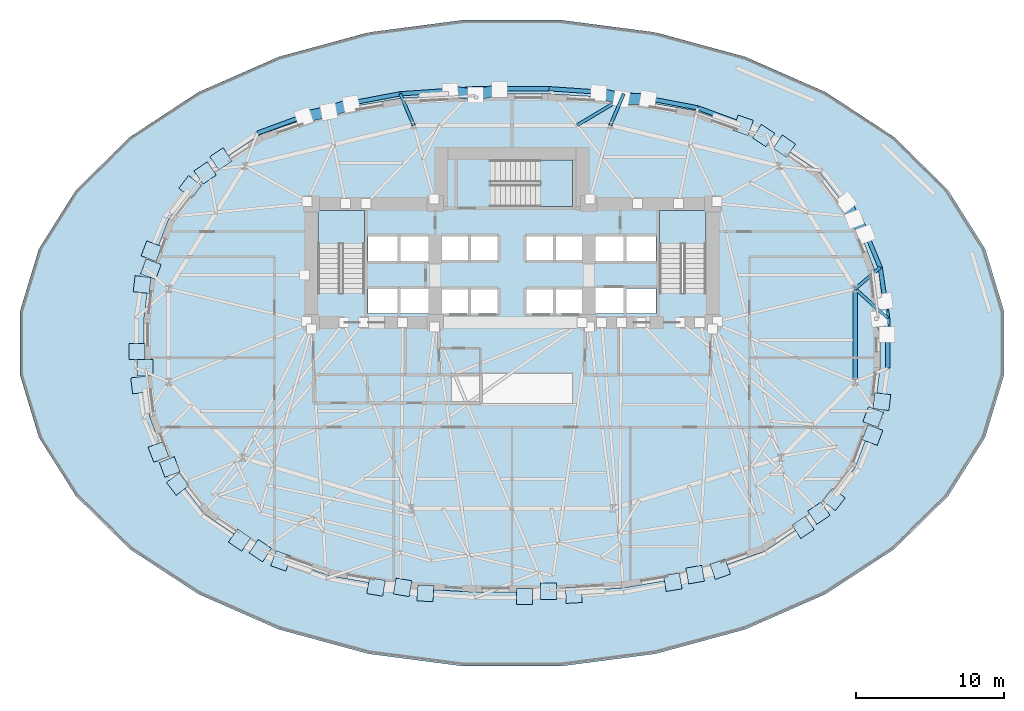
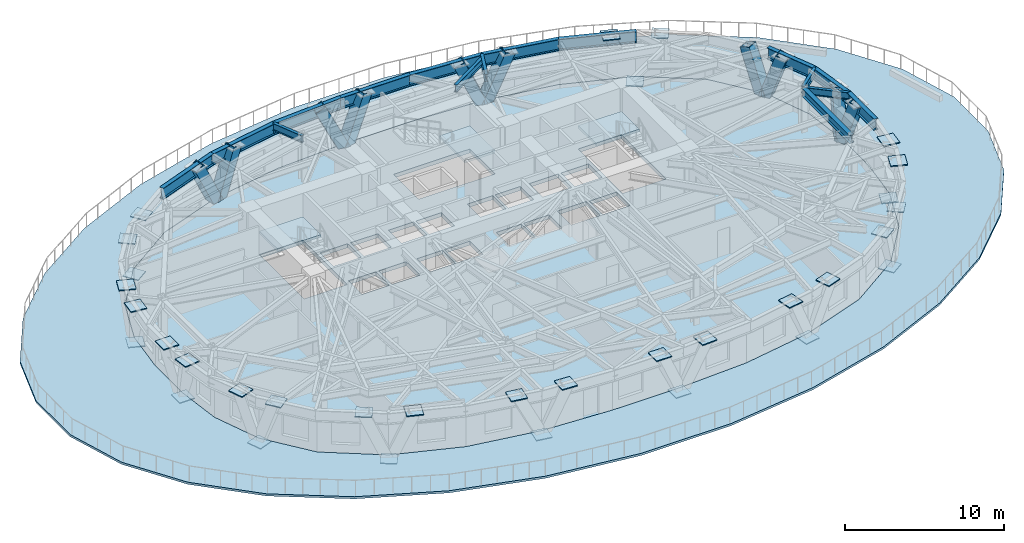
# One storey, part 4 of 14: 33 plates, 16 beams, 10 members, 5 slabs, 3 elements without a shape of their own.
"""IFC4 building model written with IfcOpenShell, lengths in metres."""

from ifc_helpers import new_model, si_unit, direction, frame, origin, origin_2d, place, context, subcontext, project, spatial, polyline, rectangle, hollow_rectangle, i_section, outline, extrude, material, layer, layer_set, material_profile, profile_set, type_object, element, aggregate, save


model = new_model("IFC4")

# Units and contexts
model_context = context("Model", 3, precision=1e-05, world=origin(), true_north=direction((0.0, 1.0)))
body_context = subcontext(model_context, "Body", "Model", "MODEL_VIEW")
ifc_project = project(units=[si_unit("LENGTHUNIT", "METRE"), si_unit("AREAUNIT", "SQUARE_METRE"), si_unit("VOLUMEUNIT", "CUBIC_METRE"), si_unit("PLANEANGLEUNIT", "RADIAN"), si_unit("MASSUNIT", "GRAM", prefix="KILO")], contexts=[model_context])

# Site, building, storey
site_placement = place(None, origin())
site = spatial("IfcSite", under=ifc_project, at=site_placement, CompositionType="ELEMENT")
building_placement = place(site_placement, origin())
building = spatial("IfcBuilding", under=site, at=building_placement, Name="Keldmark Tower", CompositionType="ELEMENT")
storey_placement = place(building_placement, frame((0.0, 0.0, 27.0)))
storey = spatial("IfcBuildingStorey", under=building, at=storey_placement, Name="L06", CompositionType="ELEMENT", Elevation=27.0)

# Members
ifc_material_1 = material(Name="Steel ASTM A572 Grade 50", Category="steel")
ifc_material_profile_1 = material_profile(ifc_material_1, hollow_rectangle(XDim=0.75, YDim=0.75, WallThickness=0.06494140625, at=origin_2d()), Name="BOX750X750X65")
ifc_profile_set_1 = profile_set([ifc_material_profile_1], Name="Steel ASTM A572 Grade 50")
member_type = type_object("IfcMemberType", Name="Diagrid Lower Brace BOX750X750X65", PredefinedType="BRACE", material=ifc_profile_set_1)
member_1_placement = place(storey_placement, frame((24.870361328125, 1.65625, -0.35009765625), z_axis=(0.093751320999, 0.307239383491, 0.94700298365), x_axis=(-0.956462321707, 0.291855832826, 0.0)))
element("IfcMember", 1, at=member_1_placement, inside=storey, type_object=member_type, Name="L06 Perimeter Diagrid Brace 01A", PredefinedType="BRACE", context=body_context, shape_type="SweptSolid", body=[
    extrude(hollow_rectangle(XDim=0.75, YDim=0.75, WallThickness=0.06494140625, at=origin_2d()), origin(), (0.0, 0.0, 1.0), 3.833251953125),
])
member_2_placement = place(storey_placement, frame((23.19873046875, 8.397216796875, -0.35009765625), z_axis=(0.197021500284, -0.266502512462, 0.943482347094), x_axis=(0.804116453603, 0.594471806771, 0.0)))
element("IfcMember", 2, at=member_2_placement, inside=storey, type_object=member_type, Name="L06 Perimeter Diagrid Brace 01B", PredefinedType="BRACE", context=body_context, shape_type="SweptSolid", body=[
    extrude(hollow_rectangle(XDim=0.75, YDim=0.75, WallThickness=0.06494140625, at=origin_2d()), origin(), (0.0, 0.0, 1.0), 3.84765625),
])
member_3_placement = place(storey_placement, frame((23.203125, 8.38623046875, -0.35009765625), z_axis=(-0.143542674884, 0.301097245153, 0.942727929706), x_axis=(-0.902670706302, -0.430331960217, 0.0)))
element("IfcMember", 3, at=member_3_placement, inside=storey, type_object=member_type, Name="L06 Perimeter Diagrid Brace 02A", PredefinedType="BRACE", context=body_context, shape_type="SweptSolid", body=[
    extrude(hollow_rectangle(XDim=0.75, YDim=0.75, WallThickness=0.06494140625, at=origin_2d()), origin(), (0.0, 0.0, 1.0), 3.8505859375),
])
member_4_placement = place(storey_placement, frame((7.41162109375, 16.5498046875, -0.35009765625), z_axis=(0.444430691649, -0.006506508702, 0.895789610157), x_axis=(0.014638528929, 0.999892850995, 0.0)))
element("IfcMember", 4, at=member_4_placement, inside=storey, type_object=member_type, Name="L06 Perimeter Diagrid Brace 03B", PredefinedType="BRACE", context=body_context, shape_type="SweptSolid", body=[
    extrude(hollow_rectangle(XDim=0.75, YDim=0.75, WallThickness=0.06494140625, at=origin_2d()), origin(), (0.0, 0.0, 1.0), 4.052490234375),
])
member_5_placement = place(storey_placement, frame((7.422607421875, 16.545166015625, -0.35009765625), z_axis=(-0.392461171818, 0.10211121654, 0.91408288906), x_axis=(-0.251798563078, -0.967779666883, 0.0)))
element("IfcMember", 5, at=member_5_placement, inside=storey, type_object=member_type, Name="L06 Perimeter Diagrid Brace 04A", PredefinedType="BRACE", context=body_context, shape_type="SweptSolid", body=[
    extrude(hollow_rectangle(XDim=0.75, YDim=0.75, WallThickness=0.06494140625, at=origin_2d()), origin(), (0.0, 0.0, 1.0), 3.971435546875),
])
member_6_placement = place(storey_placement, frame((-2.461181640625, 16.81591796875, -0.35009765625), z_axis=(0.405715691944, 0.090770705087, 0.909480871931), x_axis=(-0.218332240708, 0.975874496371, 0.0)))
element("IfcMember", 6, at=member_6_placement, inside=storey, type_object=member_type, Name="L06 Perimeter Diagrid Brace 04B", PredefinedType="BRACE", context=body_context, shape_type="SweptSolid", body=[
    extrude(hollow_rectangle(XDim=0.75, YDim=0.75, WallThickness=0.06494140625, at=origin_2d()), origin(), (0.0, 0.0, 1.0), 3.991455078125),
])
member_7_placement = place(storey_placement, frame((-2.449462890625, 16.81591796875, -0.35009765625), z_axis=(-0.431270972672, 0.061324746676, 0.900135891727), x_axis=(-0.140779272948, -0.990041007387, 0.0)))
element("IfcMember", 7, at=member_7_placement, inside=storey, type_object=member_type, Name="L06 Perimeter Diagrid Brace 05A", PredefinedType="BRACE", context=body_context, shape_type="SweptSolid", body=[
    extrude(hollow_rectangle(XDim=0.75, YDim=0.75, WallThickness=0.06494140625, at=origin_2d()), origin(), (0.0, 0.0, 1.0), 4.032958984375),
])
member_8_placement = place(storey_placement, frame((-12.413330078125, 15.685302734375, -0.35009765625), z_axis=(0.382368628652, 0.130183751927, 0.914793103689), x_axis=(-0.322298647764, 0.946638041518, 0.0)))
element("IfcMember", 8, at=member_8_placement, inside=storey, type_object=member_type, Name="L06 Perimeter Diagrid Brace 05B", PredefinedType="BRACE", context=body_context, shape_type="SweptSolid", body=[
    extrude(hollow_rectangle(XDim=0.75, YDim=0.75, WallThickness=0.06494140625, at=origin_2d()), origin(), (0.0, 0.0, 1.0), 3.96826171875),
])
member_9_placement = place(storey_placement, frame((-12.40234375, 15.689697265625, -0.35009765625), z_axis=(-0.424231604402, -0.091971376104, 0.90087114051), x_axis=(0.211873329426, -0.977297136125, 0.0)))
element("IfcMember", 9, at=member_9_placement, inside=storey, type_object=member_type, Name="L06 Perimeter Diagrid Brace 06A", PredefinedType="BRACE", context=body_context, shape_type="SweptSolid", body=[
    extrude(hollow_rectangle(XDim=0.75, YDim=0.75, WallThickness=0.06494140625, at=origin_2d()), origin(), (0.0, 0.0, 1.0), 4.029541015625),
])
member_10_placement = place(storey_placement, frame((24.870361328125, 1.66796875, -0.35009765625), z_axis=(0.13817884104, -0.286305028274, 0.948122375368), x_axis=(0.900597665736, 0.434653706381, 0.0)))
element("IfcMember", 10, at=member_10_placement, inside=storey, type_object=member_type, Name="L06 Perimeter Diagrid Brace 16B", PredefinedType="BRACE", context=body_context, shape_type="SweptSolid", body=[
    extrude(hollow_rectangle(XDim=0.75, YDim=0.75, WallThickness=0.06494140625, at=origin_2d()), origin(), (0.0, 0.0, 1.0), 3.828857421875),
])

# Beams
ifc_material_2 = material(Name="Steel ASTM A992 Grade 50", Category="steel")
ifc_material_profile_2 = material_profile(ifc_material_2, i_section(OverallWidth=0.323974609375, OverallDepth=0.611083984375, WebThickness=0.0126953125, FlangeThickness=0.01904296875, at=origin_2d()), Name="W24X104")
ifc_profile_set_2 = profile_set([ifc_material_profile_2], Name="Steel ASTM A992 Grade 50")
beam_type_1 = type_object("IfcBeamType", Name="Primary Floor Girder W24X104", PredefinedType="BEAM", material=ifc_profile_set_2)
beam_1_placement = place(storey_placement, frame((23.25390625, -2.47314453125, 3.094482421875), z_axis=(0.0, 1.0, 0.0), x_axis=(-1.0, 0.0, 0.0)))
element("IfcBeam", 11, at=beam_1_placement, inside=storey, type_object=beam_type_1, Name="L06 Floor Ring Girder FG-R12", PredefinedType="BEAM", context=body_context, shape_type="SweptSolid", body=[
    extrude(i_section(OverallWidth=0.323974609375, OverallDepth=0.611083984375, WebThickness=0.0126953125, FlangeThickness=0.01904296875, at=origin_2d()), origin(), (0.0, 0.0, 1.0), 6.01025390625),
])
ifc_material_3 = material(Name="Steel ASTM A992 Grade 50", Category="steel")
ifc_material_profile_3 = material_profile(ifc_material_3, i_section(OverallWidth=0.2099609375, OverallDepth=0.537109375, WebThickness=0.010986328125, FlangeThickness=0.017333984375, at=origin_2d()), Name="W21X68")
ifc_profile_set_3 = profile_set([ifc_material_profile_3], Name="Steel ASTM A992 Grade 50")
beam_type_2 = type_object("IfcBeamType", Name="Radial Tie Girder W21X68", PredefinedType="BEAM", material=ifc_profile_set_3)
beam_2_placement = place(storey_placement, frame((23.25390625, 3.67724609375, 3.131591796875), z_axis=(0.744182427177, -0.667976433029, 0.0), x_axis=(0.667976433029, 0.744182427177, 0.0)))
element("IfcBeam", 12, at=beam_2_placement, inside=storey, type_object=beam_type_2, Name="L06 Perimeter Column Bracket RT-01", PredefinedType="BEAM", context=body_context, shape_type="SweptSolid", body=[
    extrude(i_section(OverallWidth=0.2099609375, OverallDepth=0.537109375, WebThickness=0.010986328125, FlangeThickness=0.017333984375, at=origin_2d()), origin(), (0.0, 0.0, 1.0), 2.96337890625),
])
beam_3_placement = place(storey_placement, frame((23.25390625, 3.67724609375, 3.131591796875), z_axis=(0.760692412595, 0.649112512143, 0.0), x_axis=(-0.649112512143, 0.760692412595, 0.0)))
element("IfcBeam", 13, at=beam_3_placement, inside=storey, type_object=beam_type_2, Name="L06 Perimeter Column Bracket RT-02", PredefinedType="BEAM", context=body_context, shape_type="SweptSolid", body=[
    extrude(i_section(OverallWidth=0.2099609375, OverallDepth=0.537109375, WebThickness=0.010986328125, FlangeThickness=0.017333984375, at=origin_2d()), origin(), (0.0, 0.0, 1.0), 2.2294921875),
])
beam_4_placement = place(storey_placement, frame((6.6650390625, 14.760009765625, 3.131591796875), z_axis=(0.390049083179, 0.920794066397, 0.0), x_axis=(-0.920794066397, 0.390049083179, 0.0)))
element("IfcBeam", 14, at=beam_4_placement, inside=storey, type_object=beam_type_2, Name="L06 Perimeter Column Bracket RT-07", PredefinedType="BEAM", context=body_context, shape_type="SweptSolid", body=[
    extrude(i_section(OverallWidth=0.2099609375, OverallDepth=0.537109375, WebThickness=0.010986328125, FlangeThickness=0.017333984375, at=origin_2d()), origin(), (0.0, 0.0, 1.0), 2.316650390625),
])
beam_5_placement = place(storey_placement, frame((7.43310546875, 16.572998046875, 3.131591796875), z_axis=(-0.857113207722, -0.515128090041, 0.0), x_axis=(0.515128090041, -0.857113207722, 0.0)))
element("IfcBeam", 15, at=beam_5_placement, inside=storey, type_object=beam_type_2, Name="L06 Framing Pin Header PH-008", PredefinedType="BEAM", context=body_context, shape_type="SweptSolid", body=[
    extrude(i_section(OverallWidth=0.2099609375, OverallDepth=0.537109375, WebThickness=0.010986328125, FlangeThickness=0.017333984375, at=origin_2d()), origin(), (0.0, 0.0, 1.0), 3.51953125),
])
beam_6_placement = place(storey_placement, frame((-6.6650390625, 14.760009765625, 3.131591796875), z_axis=(-0.390049083179, 0.920794066397, 0.0), x_axis=(-0.920794066397, -0.390049083179, 0.0)))
element("IfcBeam", 16, at=beam_6_placement, inside=storey, type_object=beam_type_2, Name="L06 Perimeter Column Bracket RT-10", PredefinedType="BEAM", context=body_context, shape_type="SweptSolid", body=[
    extrude(i_section(OverallWidth=0.2099609375, OverallDepth=0.537109375, WebThickness=0.010986328125, FlangeThickness=0.017333984375, at=origin_2d()), origin(), (0.0, 0.0, 1.0), 2.316650390625),
])
ifc_material_4 = material(Name="Steel ASTM A992 Grade 50", Category="steel")
ifc_material_profile_4 = material_profile(ifc_material_4, i_section(OverallWidth=0.2919921875, OverallDepth=0.85888671875, WebThickness=0.01708984375, FlangeThickness=0.031005859375, at=origin_2d()), Name="W33X169")
ifc_profile_set_4 = profile_set([ifc_material_profile_4], Name="Steel ASTM A992 Grade 50")
beam_type_3 = type_object("IfcBeamType", Name="Spandrel Ring Beam W33X169", PredefinedType="SPANDREL", material=ifc_profile_set_4)
beam_7_placement = place(storey_placement, frame((25.459228515625, 1.69775390625, 2.970458984375), z_axis=(-0.147003256829, 0.989136008081, 0.0), x_axis=(-0.989136008081, -0.147003256829, 0.0)))
element("IfcBeam", 17, at=beam_7_placement, inside=storey, type_object=beam_type_3, Name="L06 Perimeter Spandrel Ring Beam SRB-01", PredefinedType="SPANDREL", context=body_context, shape_type="SweptSolid", body=[
    extrude(i_section(OverallWidth=0.2919921875, OverallDepth=0.85888671875, WebThickness=0.01708984375, FlangeThickness=0.031005859375, at=origin_2d()), origin(), (0.0, 0.0, 1.0), 3.46435546875),
])
beam_8_placement = place(storey_placement, frame((24.949951171875, 5.12451171875, 2.970458984375), z_axis=(-0.381925438614, 0.92419313963, 0.0), x_axis=(-0.92419313963, -0.381925438614, 0.0)))
element("IfcBeam", 18, at=beam_8_placement, inside=storey, type_object=beam_type_3, Name="L06 Perimeter Spandrel Ring Beam SRB-02", PredefinedType="SPANDREL", context=body_context, shape_type="SweptSolid", body=[
    extrude(i_section(OverallWidth=0.2919921875, OverallDepth=0.85888671875, WebThickness=0.01708984375, FlangeThickness=0.031005859375, at=origin_2d()), origin(), (0.0, 0.0, 1.0), 3.675537109375),
])
beam_9_placement = place(storey_placement, frame((17.24853515625, 14.23046875, 2.970458984375), z_axis=(-0.938716826598, 0.344689308599, 0.0), x_axis=(-0.344689308599, -0.938716826598, 0.0)))
element("IfcBeam", 19, at=beam_9_placement, inside=storey, type_object=beam_type_3, Name="L06 Perimeter Spandrel Ring Beam SRB-05", PredefinedType="SPANDREL", context=body_context, shape_type="SweptSolid", body=[
    extrude(i_section(OverallWidth=0.2919921875, OverallDepth=0.85888671875, WebThickness=0.01708984375, FlangeThickness=0.031005859375, at=origin_2d()), origin(), (0.0, 0.0, 1.0), 4.96728515625),
])
beam_10_placement = place(storey_placement, frame((12.585693359375, 15.942626953125, 2.970458984375), z_axis=(-0.982525136481, 0.186129944347, 0.0), x_axis=(-0.186129944347, -0.982525136481, 0.0)))
element("IfcBeam", 20, at=beam_10_placement, inside=storey, type_object=beam_type_3, Name="L06 Perimeter Spandrel Ring Beam SRB-06", PredefinedType="SPANDREL", context=body_context, shape_type="SweptSolid", body=[
    extrude(i_section(OverallWidth=0.2919921875, OverallDepth=0.85888671875, WebThickness=0.01708984375, FlangeThickness=0.031005859375, at=origin_2d()), origin(), (0.0, 0.0, 1.0), 5.106201171875),
])
beam_11_placement = place(storey_placement, frame((7.568603515625, 16.89306640625, 2.970458984375), z_axis=(-0.997688292846, 0.067956385408, 0.0), x_axis=(-0.067956385408, -0.997688292846, 0.0)))
element("IfcBeam", 21, at=beam_11_placement, inside=storey, type_object=beam_type_3, Name="L06 Perimeter Spandrel Ring Beam SRB-07", PredefinedType="SPANDREL", context=body_context, shape_type="SweptSolid", body=[
    extrude(i_section(OverallWidth=0.2919921875, OverallDepth=0.85888671875, WebThickness=0.01708984375, FlangeThickness=0.031005859375, at=origin_2d()), origin(), (0.0, 0.0, 1.0), 5.07275390625),
])
beam_12_placement = place(storey_placement, frame((2.507568359375, 17.23779296875, 2.970458984375), z_axis=(-1.0, 0.0, 0.0), x_axis=(0.0, -1.0, 0.0)))
element("IfcBeam", 22, at=beam_12_placement, inside=storey, type_object=beam_type_3, Name="L06 Perimeter Spandrel Ring Beam SRB-08", PredefinedType="SPANDREL", context=body_context, shape_type="SweptSolid", body=[
    extrude(i_section(OverallWidth=0.2919921875, OverallDepth=0.85888671875, WebThickness=0.01708984375, FlangeThickness=0.031005859375, at=origin_2d()), origin(), (0.0, 0.0, 1.0), 5.01513671875),
])
beam_13_placement = place(storey_placement, frame((-2.507568359375, 17.23779296875, 2.970458984375), z_axis=(-0.997688292846, -0.067956385408, 0.0), x_axis=(0.067956385408, -0.997688292846, 0.0)))
element("IfcBeam", 23, at=beam_13_placement, inside=storey, type_object=beam_type_3, Name="L06 Perimeter Spandrel Ring Beam SRB-09", PredefinedType="SPANDREL", context=body_context, shape_type="SweptSolid", body=[
    extrude(i_section(OverallWidth=0.2919921875, OverallDepth=0.85888671875, WebThickness=0.01708984375, FlangeThickness=0.031005859375, at=origin_2d()), origin(), (0.0, 0.0, 1.0), 5.07275390625),
])
beam_14_placement = place(storey_placement, frame((-7.568603515625, 16.89306640625, 2.970458984375), z_axis=(-0.982525136481, -0.186129944347, 0.0), x_axis=(0.186129944347, -0.982525136481, 0.0)))
element("IfcBeam", 24, at=beam_14_placement, inside=storey, type_object=beam_type_3, Name="L06 Perimeter Spandrel Ring Beam SRB-10", PredefinedType="SPANDREL", context=body_context, shape_type="SweptSolid", body=[
    extrude(i_section(OverallWidth=0.2919921875, OverallDepth=0.85888671875, WebThickness=0.01708984375, FlangeThickness=0.031005859375, at=origin_2d()), origin(), (0.0, 0.0, 1.0), 5.106201171875),
])
beam_15_placement = place(storey_placement, frame((-12.585693359375, 15.942626953125, 2.970458984375), z_axis=(-0.938716826598, -0.344689308599, 0.0), x_axis=(0.344689308599, -0.938716826598, 0.0)))
element("IfcBeam", 25, at=beam_15_placement, inside=storey, type_object=beam_type_3, Name="L06 Perimeter Spandrel Ring Beam SRB-11", PredefinedType="SPANDREL", context=body_context, shape_type="SweptSolid", body=[
    extrude(i_section(OverallWidth=0.2919921875, OverallDepth=0.85888671875, WebThickness=0.01708984375, FlangeThickness=0.031005859375, at=origin_2d()), origin(), (0.0, 0.0, 1.0), 4.96728515625),
])
beam_16_placement = place(storey_placement, frame((25.459228515625, -1.69775390625, 2.970458984375), z_axis=(0.0, 1.0, 0.0), x_axis=(-1.0, 0.0, 0.0)))
element("IfcBeam", 26, at=beam_16_placement, inside=storey, type_object=beam_type_3, Name="L06 Perimeter Spandrel Ring Beam SRB-32", PredefinedType="SPANDREL", context=body_context, shape_type="SweptSolid", body=[
    extrude(i_section(OverallWidth=0.2919921875, OverallDepth=0.85888671875, WebThickness=0.01708984375, FlangeThickness=0.031005859375, at=origin_2d()), origin(), (0.0, 0.0, 1.0), 3.3955078125),
])

# Plates
ifc_material_5 = material(Name="Steel ASTM A572 Grade 50", Category="steel")
ifc_layer_1 = layer(ifc_material_5, 0.074951171875)
ifc_layer_set_1 = layer_set([ifc_layer_1], Name="Steel ASTM A572 Grade 50")
plate_type = type_object("IfcPlateType", Name="Diagrid Node Assembly DN01 75 mm", PredefinedType="USERDEFINED", material=ifc_layer_set_1)
for number, where, z_axis, x_axis, name in (
    (27, (17.050048828125, 14.063720703125, -0.3876953125), (0.0, 0.0, 1.0), (-0.828158171974, 0.560494462233, 0.0), "L06 Diagrid Node Assembly 07"),
    (28, (18.45849609375, 13.341796875, 3.24267578125), (0.0, 0.0, 1.0), (-0.828158171974, 0.560494462233, 0.0), "L06 Diagrid Node Assembly 08"),
    (29, (15.656005859375, 14.754638671875, 3.24267578125), (0.0, 0.0, 1.0), (-0.943338546589, 0.331831864835, 0.0), "L06 Diagrid Node Assembly 10"),
    (30, (-20.7939453125, 11.526611328125, -0.3876953125), (0.0, 0.0, 1.0), (-0.828158171974, -0.560494462233, 0.0), "L06 Diagrid Node Assembly 23"),
    (31, (-19.722900390625, 12.48291015625, 3.24267578125), (0.0, 0.0, 1.0), (-0.828158171974, -0.560494462233, 0.0), "L06 Diagrid Node Assembly 24"),
    (32, (-21.81396484375, 10.588134765625, 3.24267578125), (0.0, 0.0, 1.0), (-0.608899886015, -0.793247079295, 0.0), "L06 Diagrid Node Assembly 26"),
    (33, (-24.4736328125, 5.008056640625, -0.3876953125), (0.0, 0.0, 1.0), (-0.352005016254, -0.93599811353, 0.0), "L06 Diagrid Node Assembly 27"),
    (34, (-24.42919921875, 6.228515625, 3.24267578125), (0.0, 0.0, 1.0), (-0.352005016254, -0.93599811353, 0.0), "L06 Diagrid Node Assembly 28"),
    (35, (-25.062255859375, 3.96484375, 3.24267578125), (0.0, 0.0, 1.0), (-0.118750571435, -0.992924116831, 0.0), "L06 Diagrid Node Assembly 30"),
    (36, (-24.870361328125, -1.66796875, -0.3876953125), (0.0, 0.0, 1.0), (0.0, -1.0, 0.0), "L06 Diagrid Node Assembly 31"),
    (37, (-25.3994140625, -0.57177734375, 3.24267578125), (0.0, 0.0, 1.0), (0.0, -1.0, 0.0), "L06 Diagrid Node Assembly 32"),
    (38, (-25.229736328125, -2.833984375, 3.24267578125), (0.0, 0.0, 1.0), (0.118750571435, -0.992924116831, 0.0), "L06 Diagrid Node Assembly 34"),
    (39, (-23.19873046875, -8.397216796875, -0.3876953125), (0.0, 0.0, 1.0), (0.352005016254, -0.93599811353, 0.0), "L06 Diagrid Node Assembly 35"),
    (40, (-23.956787109375, -7.371826171875, 3.24267578125), (0.0, 0.0, 1.0), (0.352005016254, -0.93599811353, 0.0), "L06 Diagrid Node Assembly 36"),
    (41, (-22.650390625, -9.545654296875, 3.24267578125), (0.0, 0.0, 1.0), (0.608899886015, -0.793247079295, 0.0), "L06 Diagrid Node Assembly 38"),
    (42, (-17.050048828125, -14.063720703125, -0.3876953125), (0.0, 0.0, 1.0), (0.828158171974, -0.560494462233, 0.0), "L06 Diagrid Node Assembly 39"),
    (43, (-18.45849609375, -13.341796875, 3.24267578125), (0.0, 0.0, 1.0), (0.828158171974, -0.560494462233, 0.0), "L06 Diagrid Node Assembly 40"),
    (44, (-15.656005859375, -14.754638671875, 3.24267578125), (0.0, 0.0, 1.0), (0.943338546589, -0.331831864835, 0.0), "L06 Diagrid Node Assembly 42"),
    (45, (-7.41162109375, -16.5498046875, -0.3876953125), (0.0, 0.0, 1.0), (0.985467252771, -0.169865516557, 0.0), "L06 Diagrid Node Assembly 43"),
    (46, (-9.212646484375, -16.5234375, 3.24267578125), (0.0, 0.0, 1.0), (0.985467252771, -0.169865516557, 0.0), "L06 Diagrid Node Assembly 44"),
    (47, (-5.864013671875, -16.95068359375, 3.24267578125), (0.0, 0.0, 1.0), (0.998498672858, -0.054775909853, 0.0), "L06 Diagrid Node Assembly 46"),
    (48, (2.461181640625, -16.81591796875, -0.3876953125), (0.0, 0.0, 1.0), (1.0, 0.0, 0.0), "L06 Diagrid Node Assembly 47"),
    (49, (0.841796875, -17.17822265625, 3.24267578125), (0.0, 0.0, 1.0), (1.0, 0.0, 0.0), "L06 Diagrid Node Assembly 48"),
    (50, (4.188720703125, -17.063232421875, 3.24267578125), (0.0, 0.0, 1.0), (0.998498672858, 0.054775909853, 0.0), "L06 Diagrid Node Assembly 50"),
    (51, (12.413330078125, -15.685302734375, -0.3876953125), (0.0, 0.0, 1.0), (0.985467252771, 0.169865516557, 0.0), "L06 Diagrid Node Assembly 51"),
    (52, (10.89599609375, -16.201904296875, 3.24267578125), (0.0, 0.0, 1.0), (0.985467252771, 0.169865516557, 0.0), "L06 Diagrid Node Assembly 52"),
    (53, (14.11181640625, -15.319091796875, 3.24267578125), (0.0, 0.0, 1.0), (0.943338546589, 0.331831864835, 0.0), "L06 Diagrid Node Assembly 54"),
    (54, (20.7939453125, -11.526611328125, -0.3876953125), (0.0, 0.0, 1.0), (0.828158171974, 0.560494462233, 0.0), "L06 Diagrid Node Assembly 55"),
    (55, (19.722900390625, -12.48291015625, 3.24267578125), (0.0, 0.0, 1.0), (0.828158171974, 0.560494462233, 0.0), "L06 Diagrid Node Assembly 56"),
    (56, (21.81396484375, -10.588134765625, 3.24267578125), (0.0, 0.0, 1.0), (0.608899886015, 0.793247079295, 0.0), "L06 Diagrid Node Assembly 58"),
    (57, (24.4736328125, -5.008056640625, -0.3876953125), (0.0, 0.0, 1.0), (0.352005016254, 0.93599811353, 0.0), "L06 Diagrid Node Assembly 59"),
    (58, (24.42919921875, -6.228515625, 3.24267578125), (0.0, 0.0, 1.0), (0.352005016254, 0.93599811353, 0.0), "L06 Diagrid Node Assembly 60"),
    (59, (25.062255859375, -3.96484375, 3.24267578125), (0.0, 0.0, 1.0), (0.118750571435, 0.992924116831, 0.0), "L06 Diagrid Node Assembly 62"),
):
    element("IfcPlate", number, at=place(storey_placement, frame(where, z_axis=z_axis, x_axis=x_axis)), inside=storey, type_object=plate_type, Name=name, ObjectType="GUSSET", PredefinedType="USERDEFINED", context=body_context, shape_type="SweptSolid", body=[
        extrude(rectangle(XDim=1.090087890625, YDim=1.090087890625, at=origin_2d()), origin(), (0.0, 0.0, 1.0), 0.074951171875),
    ])

# Slab
ifc_material_6 = material(Name="Concrete C35/45", Category="concrete")
ifc_layer_2 = layer(ifc_material_6, 0.1650390625)
ifc_layer_set_2 = layer_set([ifc_layer_2], Name="Concrete C35/45")
slab_type_1 = type_object("IfcSlabType", Name="Planted Sky-Garden Terrace Slab 165 mm", PredefinedType="ROOF", material=ifc_layer_set_2)
slab_1_placement = place(storey_placement, frame((0.0, 0.0, -0.1650390625)))
element("IfcSlab", 60, at=slab_1_placement, inside=storey, type_object=slab_type_1, Name="Planted Podium Roof Terrace Slab", PredefinedType="ROOF", context=body_context, shape_type="SweptSolid", body=[
    extrude(outline(polyline([(33.338623046875, 2.156494140625), (32.0576171875, 6.38623046875), (29.54443359375, 10.37060546875), (25.89599609375, 13.956787109375), (21.252197265625, 17.006103515625), (15.791748046875, 19.40234375), (9.724609375, 21.052734375), (3.28369140625, 21.89404296875), (-3.28369140625, 21.89404296875), (-9.724609375, 21.052734375), (-15.791748046875, 19.40234375), (-21.252197265625, 17.006103515625), (-25.89599609375, 13.956787109375), (-29.54443359375, 10.37060546875), (-32.0576171875, 6.38623046875), (-33.338623046875, 2.156494140625), (-33.338623046875, -2.156494140625), (-32.0576171875, -6.38623046875), (-29.54443359375, -10.37060546875), (-25.89599609375, -13.956787109375), (-21.252197265625, -17.006103515625), (-15.791748046875, -19.40234375), (-9.724609375, -21.052734375), (-3.28369140625, -21.89404296875), (3.28369140625, -21.89404296875), (9.724609375, -21.052734375), (15.791748046875, -19.40234375), (21.252197265625, -17.006103515625), (25.89599609375, -13.956787109375), (29.54443359375, -10.37060546875), (32.0576171875, -6.38623046875), (33.338623046875, -2.156494140625), (33.338623046875, 2.156494140625)]), holes=[polyline([(24.93017578125, 1.662109375), (24.526611328125, 5.036376953125), (23.256103515625, 8.41455078125), (20.83203125, 11.572998046875), (17.096435546875, 14.101806640625), (12.4306640625, 15.74267578125), (7.43994140625, 16.6025390625), (2.455322265625, 16.875732421875), (-2.455322265625, 16.875732421875), (-7.43994140625, 16.6025390625), (-12.4306640625, 15.74267578125), (-17.096435546875, 14.101806640625), (-20.83203125, 11.572998046875), (-23.256103515625, 8.41455078125), (-24.526611328125, 5.036376953125), (-24.93017578125, 1.662109375), (-24.93017578125, -1.662109375), (-24.526611328125, -5.036376953125), (-23.256103515625, -8.41455078125), (-20.83203125, -11.572998046875), (-17.096435546875, -14.101806640625), (-12.4306640625, -15.74267578125), (-7.43994140625, -16.6025390625), (-2.455322265625, -16.875732421875), (2.455322265625, -16.875732421875), (7.43994140625, -16.6025390625), (12.4306640625, -15.74267578125), (17.096435546875, -14.101806640625), (20.83203125, -11.572998046875), (23.256103515625, -8.41455078125), (24.526611328125, -5.036376953125), (24.93017578125, -1.662109375), (24.93017578125, 1.662109375)])]), origin(), (0.0, 0.0, 1.0), 0.1650390625),
])

# Stair, slab
ifc_material_7 = material(Name="Concrete C40/50", Category="concrete")
stair_type = type_object("IfcStairType", Name="Precast Concrete Core Exit Stair", PredefinedType="HALF_TURN_STAIR", material=ifc_material_7)
stair_1_placement = place(storey_placement, origin())
stair_1 = element("IfcStair", 61, at=stair_1_placement, inside=storey, type_object=stair_type, Name="L06 Exit Stair ST1", PredefinedType="HALF_TURN_STAIR")
ifc_material_8 = material(Name="Concrete C40/50", Category="concrete")
ifc_layer_3 = layer(ifc_material_8, 0.199951171875)
ifc_layer_set_3 = layer_set([ifc_layer_3], Name="Concrete C40/50")
slab_type_2 = type_object("IfcSlabType", Name="Reinforced Concrete Stair Landing 200 mm", PredefinedType="LANDING", material=ifc_layer_set_3)
slab_2_placement = place(storey_placement, frame((0.0, 0.0, 1.60009765625)))
slab_2 = element("IfcSlab", 62, at=slab_2_placement, type_object=slab_type_2, Name="ST1 landing 1", PredefinedType="LANDING", context=body_context, shape_type="SweptSolid", body=[
    extrude(outline(polyline([(-10.0, 6.72998046875), (-10.0, 9.0), (-13.14990234375, 9.0), (-13.14990234375, 6.72998046875), (-10.0, 6.72998046875)])), origin(), (0.0, 0.0, 1.0), 0.199951171875),
])
aggregate(stair_1, [slab_2])

stair_2_placement = place(storey_placement, origin())
stair_2 = element("IfcStair", 63, at=stair_2_placement, inside=storey, type_object=stair_type, Name="L06 Exit Stair ST2", PredefinedType="HALF_TURN_STAIR")
slab_3_placement = place(storey_placement, frame((0.0, 0.0, 1.60009765625)))
slab_3 = element("IfcSlab", 64, at=slab_3_placement, type_object=slab_type_2, Name="ST2 landing 1", PredefinedType="LANDING", context=body_context, shape_type="SweptSolid", body=[
    extrude(outline(polyline([(13.14990234375, 6.72998046875), (13.14990234375, 9.0), (10.0, 9.0), (10.0, 6.72998046875), (13.14990234375, 6.72998046875)])), origin(), (0.0, 0.0, 1.0), 0.199951171875),
])
aggregate(stair_2, [slab_3])

stair_3_placement = place(storey_placement, origin())
stair_3 = element("IfcStair", 65, at=stair_3_placement, inside=storey, type_object=stair_type, Name="L06 Exit Stair ST3", PredefinedType="HALF_TURN_STAIR")
slab_4_placement = place(storey_placement, frame((0.0, 0.0, 1.60009765625)))
slab_4 = element("IfcSlab", 66, at=slab_4_placement, type_object=slab_type_2, Name="ST3 landing 1", PredefinedType="LANDING", context=body_context, shape_type="SweptSolid", body=[
    extrude(outline(polyline([(1.905029296875, 9.25), (4.10498046875, 9.25), (4.10498046875, 12.39990234375), (1.905029296875, 12.39990234375), (1.905029296875, 9.25)])), origin(), (0.0, 0.0, 1.0), 0.199951171875),
])
aggregate(stair_3, [slab_4])

# Slab
ifc_material_9 = material(Name="Concrete C35/45", Category="concrete")
ifc_layer_4 = layer(ifc_material_9, 0.300048828125)
ifc_layer_set_4 = layer_set([ifc_layer_4], Name="Concrete C35/45")
slab_type_3 = type_object("IfcSlabType", Name="Transfer Composite Slab 300 mm", PredefinedType="FLOOR", material=ifc_layer_set_4)
slab_5_placement = place(storey_placement, frame((0.0, 0.0, -0.300048828125)))
element("IfcSlab", 67, at=slab_5_placement, inside=storey, type_object=slab_type_3, Name="L06 Composite Structural Floor Slab", PredefinedType="FLOOR", context=body_context, shape_type="SweptSolid", body=[
    extrude(outline(polyline([(24.93017578125, 1.662109375), (24.526611328125, 5.036376953125), (23.256103515625, 8.41455078125), (20.83203125, 11.572998046875), (17.096435546875, 14.101806640625), (12.4306640625, 15.74267578125), (7.43994140625, 16.6025390625), (2.455322265625, 16.875732421875), (-2.455322265625, 16.875732421875), (-7.43994140625, 16.6025390625), (-12.4306640625, 15.74267578125), (-17.096435546875, 14.101806640625), (-20.83203125, 11.572998046875), (-23.256103515625, 8.41455078125), (-24.526611328125, 5.036376953125), (-24.93017578125, 1.662109375), (-24.93017578125, -1.662109375), (-24.526611328125, -5.036376953125), (-23.256103515625, -8.41455078125), (-20.83203125, -11.572998046875), (-17.096435546875, -14.101806640625), (-12.4306640625, -15.74267578125), (-7.43994140625, -16.6025390625), (-2.455322265625, -16.875732421875), (2.455322265625, -16.875732421875), (7.43994140625, -16.6025390625), (12.4306640625, -15.74267578125), (17.096435546875, -14.101806640625), (20.83203125, -11.572998046875), (23.256103515625, -8.41455078125), (24.526611328125, -5.036376953125), (24.93017578125, -1.662109375), (24.93017578125, 1.662109375)]), holes=[polyline([(-10.0, 3.385009765625), (-10.0, 9.0), (-13.14990234375, 9.0), (-13.14990234375, 3.385009765625), (-10.0, 3.385009765625)]), polyline([(13.14990234375, 3.385009765625), (13.14990234375, 9.0), (10.0, 9.0), (10.0, 3.385009765625), (13.14990234375, 3.385009765625)]), polyline([(-1.43994140625, 9.25), (4.10498046875, 9.25), (4.10498046875, 12.39990234375), (-1.43994140625, 12.39990234375), (-1.43994140625, 9.25)]), polyline([(-9.75, 2.0), (-7.75, 2.0), (-7.75, 3.699951171875), (-9.75, 3.699951171875), (-9.75, 2.0)]), polyline([(7.75, 2.0), (9.75, 2.0), (9.75, 3.699951171875), (7.75, 3.699951171875), (7.75, 2.0)]), polyline([(5.449951171875, 2.0), (7.550048828125, 2.0), (7.550048828125, 3.75), (5.449951171875, 3.75), (5.449951171875, 2.0)]), polyline([(-4.800048828125, 2.0), (-2.949951171875, 2.0), (-2.949951171875, 3.64990234375), (-4.800048828125, 3.64990234375), (-4.800048828125, 2.0)]), polyline([(-2.800048828125, 2.0), (-0.949951171875, 2.0), (-0.949951171875, 3.64990234375), (-2.800048828125, 3.64990234375), (-2.800048828125, 2.0)]), polyline([(0.949951171875, 2.0), (2.800048828125, 2.0), (2.800048828125, 3.64990234375), (0.949951171875, 3.64990234375), (0.949951171875, 2.0)]), polyline([(2.949951171875, 2.0), (4.800048828125, 2.0), (4.800048828125, 3.64990234375), (2.949951171875, 3.64990234375), (2.949951171875, 2.0)]), polyline([(-4.800048828125, 5.60009765625), (-2.949951171875, 5.60009765625), (-2.949951171875, 7.25), (-4.800048828125, 7.25), (-4.800048828125, 5.60009765625)]), polyline([(-2.800048828125, 5.60009765625), (-0.949951171875, 5.60009765625), (-0.949951171875, 7.25), (-2.800048828125, 7.25), (-2.800048828125, 5.60009765625)]), polyline([(0.949951171875, 5.60009765625), (2.800048828125, 5.60009765625), (2.800048828125, 7.25), (0.949951171875, 7.25), (0.949951171875, 5.60009765625)]), polyline([(2.949951171875, 5.60009765625), (4.800048828125, 5.60009765625), (4.800048828125, 7.25), (2.949951171875, 7.25), (2.949951171875, 5.60009765625)]), polyline([(-9.75, 5.550048828125), (-7.75, 5.550048828125), (-7.75, 7.25), (-9.75, 7.25), (-9.75, 5.550048828125)]), polyline([(-7.550048828125, 5.550048828125), (-5.550048828125, 5.550048828125), (-5.550048828125, 7.25), (-7.550048828125, 7.25), (-7.550048828125, 5.550048828125)]), polyline([(-7.550048828125, 2.0), (-5.550048828125, 2.0), (-5.550048828125, 3.699951171875), (-7.550048828125, 3.699951171875), (-7.550048828125, 2.0)]), polyline([(5.449951171875, 5.550048828125), (7.550048828125, 5.550048828125), (7.550048828125, 7.25), (5.449951171875, 7.25), (5.449951171875, 5.550048828125)]), polyline([(7.75, 5.550048828125), (9.75, 5.550048828125), (9.75, 7.25), (7.75, 7.25), (7.75, 5.550048828125)])]), origin(), (0.0, 0.0, 1.0), 0.300048828125),
])

save(model, "model.ifc")
